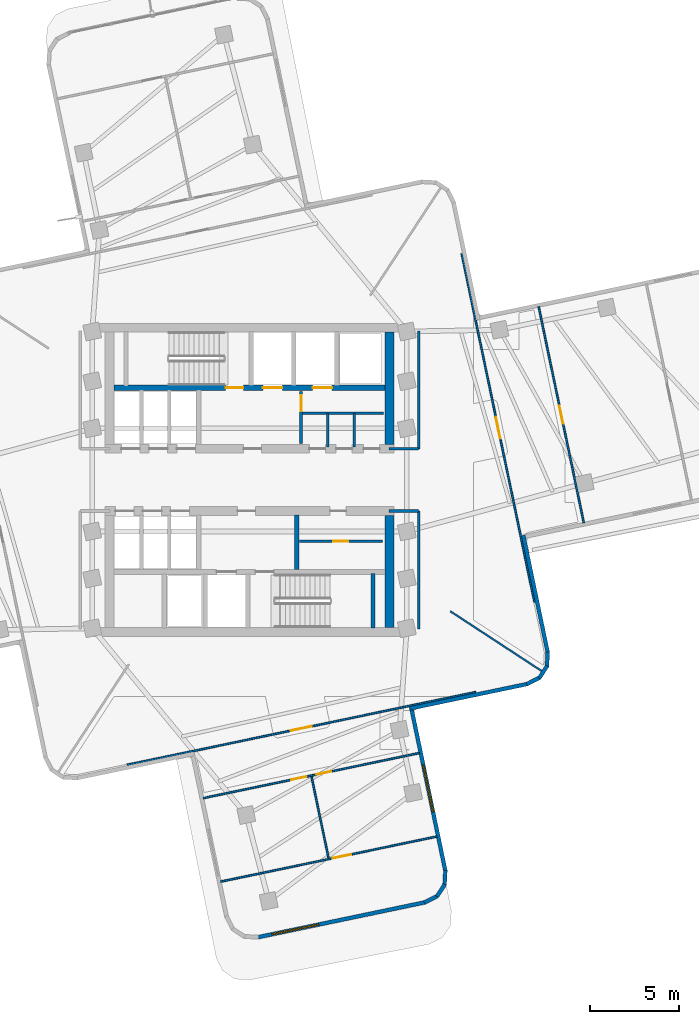
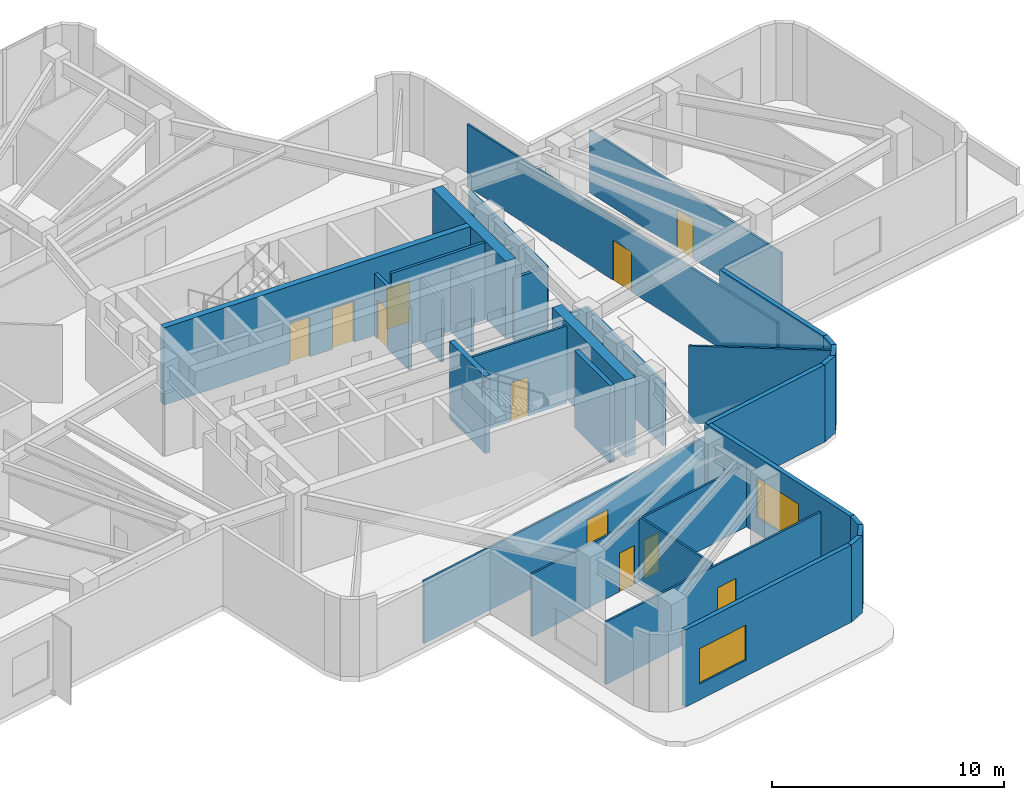
# One storey, part 7 of 12: 31 walls, 11 doors, 2 windows, 13 openings.
"""IFC4 building model written with IfcOpenShell, lengths in metres."""

from ifc_helpers import new_model, si_unit, direction, frame, frame_2d, origin, place, context, subcontext, project, spatial, rectangle, extrude, material, layer, layer_set, type_object, element, fill, save


model = new_model("IFC4")

# Units and contexts
model_context = context("Model", 3, precision=1e-05, world=origin(), true_north=direction((0.0, 1.0)))
body_context = subcontext(model_context, "Body", "Model", "MODEL_VIEW")
ifc_project = project(units=[si_unit("LENGTHUNIT", "METRE"), si_unit("AREAUNIT", "SQUARE_METRE"), si_unit("VOLUMEUNIT", "CUBIC_METRE"), si_unit("PLANEANGLEUNIT", "RADIAN"), si_unit("MASSUNIT", "GRAM", prefix="KILO")], contexts=[model_context])

# Site, building, storey
site_placement = place(None, origin())
site = spatial("IfcSite", under=ifc_project, at=site_placement, CompositionType="ELEMENT")
building_placement = place(site_placement, origin())
building = spatial("IfcBuilding", under=site, at=building_placement, Name="Solmarez Civic Tower", CompositionType="ELEMENT")
storey_placement = place(building_placement, frame((0.0, 0.0, 111.9599609375)))
storey = spatial("IfcBuildingStorey", under=building, at=storey_placement, Name="L29", CompositionType="ELEMENT", Elevation=111.9599609375)

# Walls
ifc_material_1 = material(Name="Concrete C60/75", Category="concrete")
ifc_layer_1 = layer(ifc_material_1, 0.5)
ifc_layer_set_1 = layer_set([ifc_layer_1], Name="Concrete C60/75")
wall_type_1 = type_object("IfcWallType", Name="WALL-CORE-500", PredefinedType="SHEAR", material=ifc_layer_set_1)
for number, where, z_axis, x_axis, name in (
    (1, (7.8701171875, 8.31005859375, 0.0), (0.0, 0.0, 1.0), (0.0, -1.0, 0.0), "L29 Split-Core Structural Wall NCW-E-L29"),
    (2, (7.8701171875, -2.0, 0.0), (0.0, 0.0, 1.0), (0.0, -1.0, 0.0), "L29 Split-Core Structural Wall SCW-E-L29"),
):
    element("IfcWall", number, at=place(storey_placement, frame(where, z_axis=z_axis, x_axis=x_axis)), inside=storey, type_object=wall_type_1, Name=name, PredefinedType="SHEAR", context=body_context, shape_type="SweptSolid", body=[
        extrude(rectangle(XDim=6.31005859375, YDim=0.5, at=frame_2d((3.155029296875, 0.0))), origin(), (0.0, 0.0, 1.0), 4.06005859375),
    ])
ifc_material_2 = material(Name="Precast concrete C40/50", Category="concrete")
ifc_layer_2 = layer(ifc_material_2, 0.219970703125)
ifc_layer_set_2 = layer_set([ifc_layer_2], Name="Precast concrete C40/50")
wall_type_2 = type_object("IfcWallType", Name="WALL-EXT-220", PredefinedType="SOLIDWALL", material=ifc_layer_set_2)
wall_1_placement = place(storey_placement, frame((15.403076171875, -3.118896484375, 0.0), z_axis=(0.0, 0.0, 1.0), x_axis=(0.204509735336, -0.978864530031, 0.0)))
element("IfcWall", 3, at=wall_1_placement, inside=storey, type_object=wall_type_2, Name="L29 Exterior Precast Wall 49", PredefinedType="SOLIDWALL", context=body_context, shape_type="SweptSolid", body=[
    extrude(rectangle(XDim=6.7568359375, YDim=0.219970703125, at=frame_2d((3.37841796875, 0.0))), origin(), (0.0, 0.0, 1.0), 4.06005859375),
])
wall_2_placement = place(storey_placement, frame((16.781005859375, -9.68408203125, 0.0), z_axis=(0.0, 0.0, 1.0), x_axis=(-0.055016197793, -0.998485462078, 0.0)))
element("IfcWall", 4, at=wall_2_placement, inside=storey, type_object=wall_type_2, Name="L29 Exterior Precast Wall 50", PredefinedType="SOLIDWALL", context=body_context, shape_type="SweptSolid", body=[
    extrude(rectangle(XDim=0.834228515625, YDim=0.219970703125, at=frame_2d((0.4169921875, 0.0))), origin(), (0.0, 0.0, 1.0), 4.06005859375),
])
wall_3_placement = place(storey_placement, frame((16.75, -10.470947265625, 0.0), z_axis=(0.0, 0.0, 1.0), x_axis=(-0.54760232045, -0.836738727822, 0.0)))
element("IfcWall", 5, at=wall_3_placement, inside=storey, type_object=wall_type_2, Name="L29 Exterior Precast Wall 51", PredefinedType="SOLIDWALL", context=body_context, shape_type="SweptSolid", body=[
    extrude(rectangle(XDim=0.81982421875, YDim=0.219970703125, at=frame_2d((0.409912109375, 0.0))), origin(), (0.0, 0.0, 1.0), 4.06005859375),
])
wall_4_placement = place(storey_placement, frame((16.3369140625, -11.125, 0.0), z_axis=(0.0, 0.0, 1.0), x_axis=(-0.892485652426, -0.45107578101, 0.0)))
element("IfcWall", 6, at=wall_4_placement, inside=storey, type_object=wall_type_2, Name="L29 Exterior Precast Wall 52", PredefinedType="SOLIDWALL", context=body_context, shape_type="SweptSolid", body=[
    extrude(rectangle(XDim=0.83349609375, YDim=0.219970703125, at=frame_2d((0.416748046875, 0.0))), origin(), (0.0, 0.0, 1.0), 4.06005859375),
])
wall_5_placement = place(storey_placement, frame((15.638916015625, -11.485107421875, 0.0), z_axis=(0.0, 0.0, 1.0), x_axis=(-0.978870573598, -0.204480806295, 0.0)))
element("IfcWall", 7, at=wall_5_placement, inside=storey, type_object=wall_type_2, Name="L29 Exterior Precast Wall 53", PredefinedType="SOLIDWALL", context=body_context, shape_type="SweptSolid", body=[
    extrude(rectangle(XDim=6.7578125, YDim=0.219970703125, at=frame_2d((3.37890625, 0.0))), origin(), (0.0, 0.0, 1.0), 4.06005859375),
])

# Wall, opening, window
wall_6_placement = place(storey_placement, frame((9.092041015625, -12.762939453125, 0.0), z_axis=(0.0, 0.0, 1.0), x_axis=(0.204468605798, -0.978873122137, 0.0)))
wall_6 = element("IfcWall", 8, at=wall_6_placement, inside=storey, type_object=wall_type_2, Name="L29 Exterior Precast Wall 56", PredefinedType="SOLIDWALL", context=body_context, shape_type="SweptSolid", body=[
    extrude(rectangle(XDim=9.457763671875, YDim=0.219970703125, at=frame_2d((4.72900390625, 0.0))), origin(), (0.0, 0.0, 1.0), 4.06005859375),
])
opening_1_placement = place(wall_6_placement, frame((3.35009765625, 0.0, 0.85009765625)))
opening_1 = element("IfcOpeningElement", 9, at=opening_1_placement, cuts=wall_6, Name="Opening W-01", PredefinedType="OPENING", context=body_context, shape_type="SweptSolid", body=[
    extrude(rectangle(XDim=2.699951171875, YDim=2.10009765625, at=frame_2d((1.35009765625, 1.050048828125))), frame((0.0, 0.119873046875, 0.0), z_axis=(0.0, -1.0, 0.0), x_axis=(1.0, 0.0, 0.0)), (0.0, 0.0, 1.0), 0.239990234375),
])
ifc_material_3 = material(Name="Solar Control Bronze-Tinted Insulating Glass", Category="glass")
window_type_1 = type_object("IfcWindowType", Name="WIN-2700X2100", PartitioningType="SINGLE_PANEL", PredefinedType="WINDOW", material=ifc_material_3)
window_1_placement = place(opening_1_placement, origin())
window_1 = element("IfcWindow", 10, at=window_1_placement, inside=storey, type_object=window_type_1, Name="L29 Exterior Facade Window 56", OverallHeight=2.10009765625, OverallWidth=2.699951171875, PartitioningType="SINGLE_PANEL", PredefinedType="WINDOW", context=body_context, shape_type="SweptSolid", body=[
    extrude(rectangle(XDim=2.699951171875, YDim=2.10009765625, at=frame_2d((1.35009765625, 1.050048828125))), frame((0.0, 0.030029296875, 0.0), z_axis=(0.0, -1.0, 0.0), x_axis=(1.0, 0.0, 0.0)), (0.0, 0.0, 1.0), 0.06005859375),
])
fill(opening_1, window_1)

# Walls
wall_7_placement = place(storey_placement, frame((11.02197265625, -21.971923828125, 0.0), z_axis=(0.0, 0.0, 1.0), x_axis=(-0.055016197793, -0.998485462078, 0.0)))
element("IfcWall", 11, at=wall_7_placement, inside=storey, type_object=wall_type_2, Name="L29 Exterior Precast Wall 57", PredefinedType="SOLIDWALL", context=body_context, shape_type="SweptSolid", body=[
    extrude(rectangle(XDim=0.834228515625, YDim=0.219970703125, at=frame_2d((0.4169921875, 0.0))), origin(), (0.0, 0.0, 1.0), 4.06005859375),
])
wall_8_placement = place(storey_placement, frame((10.990966796875, -22.759033203125, 0.0), z_axis=(0.0, 0.0, 1.0), x_axis=(-0.548148504297, -0.836381023958, 0.0)))
element("IfcWall", 12, at=wall_8_placement, inside=storey, type_object=wall_type_2, Name="L29 Exterior Precast Wall 58", PredefinedType="SOLIDWALL", context=body_context, shape_type="SweptSolid", body=[
    extrude(rectangle(XDim=0.819091796875, YDim=0.219970703125, at=frame_2d((0.40966796875, 0.0))), origin(), (0.0, 0.0, 1.0), 4.06005859375),
])
wall_9_placement = place(storey_placement, frame((10.577880859375, -23.412109375, 0.0), z_axis=(0.0, 0.0, 1.0), x_axis=(-0.892485652426, -0.45107578101, 0.0)))
element("IfcWall", 13, at=wall_9_placement, inside=storey, type_object=wall_type_2, Name="L29 Exterior Precast Wall 59", PredefinedType="SOLIDWALL", context=body_context, shape_type="SweptSolid", body=[
    extrude(rectangle(XDim=0.83349609375, YDim=0.219970703125, at=frame_2d((0.416748046875, 0.0))), origin(), (0.0, 0.0, 1.0), 4.06005859375),
])

# Wall, opening, window
wall_10_placement = place(storey_placement, frame((9.8798828125, -23.77197265625, 0.0), z_axis=(0.0, 0.0, 1.0), x_axis=(-0.978873030385, -0.204469045054, 0.0)))
wall_10 = element("IfcWall", 14, at=wall_10_placement, inside=storey, type_object=wall_type_2, Name="L29 Exterior Precast Wall 60", PredefinedType="SOLIDWALL", context=body_context, shape_type="SweptSolid", body=[
    extrude(rectangle(XDim=9.6201171875, YDim=0.219970703125, at=frame_2d((4.81005859375, 0.0))), origin(), (0.0, 0.0, 1.0), 4.06005859375),
])
opening_2_placement = place(wall_10_placement, frame((6.1201171875, 0.0, 0.85009765625)))
opening_2 = element("IfcOpeningElement", 15, at=opening_2_placement, cuts=wall_10, Name="Opening W-05", PredefinedType="OPENING", context=body_context, shape_type="SweptSolid", body=[
    extrude(rectangle(XDim=2.699951171875, YDim=1.85009765625, at=frame_2d((1.35009765625, 0.925048828125))), frame((0.0, 0.119873046875, 0.0), z_axis=(0.0, -1.0, 0.0), x_axis=(1.0, 0.0, 0.0)), (0.0, 0.0, 1.0), 0.239990234375),
])
window_type_2 = type_object("IfcWindowType", Name="WIN-2700X1850", PartitioningType="SINGLE_PANEL", PredefinedType="WINDOW", material=ifc_material_3)
window_2_placement = place(opening_2_placement, origin())
window_2 = element("IfcWindow", 16, at=window_2_placement, inside=storey, type_object=window_type_2, Name="L29 Exterior Facade Window 60", OverallHeight=1.85009765625, OverallWidth=2.699951171875, PartitioningType="SINGLE_PANEL", PredefinedType="WINDOW", context=body_context, shape_type="SweptSolid", body=[
    extrude(rectangle(XDim=2.699951171875, YDim=1.85009765625, at=frame_2d((1.35009765625, 0.925048828125))), frame((0.0, 0.030029296875, 0.0), z_axis=(0.0, -1.0, 0.0), x_axis=(1.0, 0.0, 0.0)), (0.0, 0.0, 1.0), 0.06005859375),
])
fill(opening_2, window_2)

# Walls
ifc_material_4 = material(Name="Gypsum Board Acoustic Steel-Stud Partition", Category="steel")
ifc_layer_3 = layer(ifc_material_4, 0.14990234375)
ifc_layer_set_3 = layer_set([ifc_layer_3], Name="Gypsum Board Acoustic Steel-Stud Partition")
wall_type_3 = type_object("IfcWallType", Name="WALL-INT-FIRE-150", PredefinedType="PARTITIONING", material=ifc_layer_set_3)
wall_11_placement = place(storey_placement, frame((9.52001953125, 1.75, 0.0), z_axis=(0.0, 0.0, 1.0), x_axis=(0.0, 1.0, 0.0)))
element("IfcWall", 17, at=wall_11_placement, inside=storey, type_object=wall_type_3, Name="L29 Interior Partition CHW-L29-EN1", PredefinedType="PARTITIONING", context=body_context, shape_type="SweptSolid", body=[
    extrude(rectangle(XDim=6.6298828125, YDim=0.14990234375, at=frame_2d((3.31494140625, 0.0))), origin(), (0.0, 0.0, 1.0), 3.2900390625),
])
wall_12_placement = place(storey_placement, frame((7.85009765625, 1.75, 0.0), z_axis=(0.0, 0.0, 1.0), x_axis=(1.0, 0.0, 0.0)))
element("IfcWall", 18, at=wall_12_placement, inside=storey, type_object=wall_type_3, Name="L29 Interior Partition CHW-L29-EN3", PredefinedType="PARTITIONING", context=body_context, shape_type="SweptSolid", body=[
    extrude(rectangle(XDim=1.669921875, YDim=0.14990234375, at=frame_2d((0.8349609375, 0.0))), origin(), (0.0, 0.0, 1.0), 3.2900390625),
])
wall_13_placement = place(storey_placement, frame((9.52001953125, -8.3798828125, 0.0), z_axis=(0.0, 0.0, 1.0), x_axis=(0.0, 1.0, 0.0)))
element("IfcWall", 19, at=wall_13_placement, inside=storey, type_object=wall_type_3, Name="L29 Interior Partition CHW-L29-ES1", PredefinedType="PARTITIONING", context=body_context, shape_type="SweptSolid", body=[
    extrude(rectangle(XDim=6.6298828125, YDim=0.14990234375, at=frame_2d((3.31494140625, 0.0))), origin(), (0.0, 0.0, 1.0), 3.2900390625),
])
wall_14_placement = place(storey_placement, frame((7.85009765625, -1.75, 0.0), z_axis=(0.0, 0.0, 1.0), x_axis=(1.0, 0.0, 0.0)))
element("IfcWall", 20, at=wall_14_placement, inside=storey, type_object=wall_type_3, Name="L29 Interior Partition CHW-L29-ES3", PredefinedType="PARTITIONING", context=body_context, shape_type="SweptSolid", body=[
    extrude(rectangle(XDim=1.669921875, YDim=0.14990234375, at=frame_2d((0.8349609375, 0.0))), origin(), (0.0, 0.0, 1.0), 3.2900390625),
])
ifc_layer_4 = layer(ifc_material_4, 0.10009765625)
ifc_layer_set_4 = layer_set([ifc_layer_4], Name="Gypsum Board Acoustic Steel-Stud Partition")
wall_type_4 = type_object("IfcWallType", Name="WALL-INT-PART-100", PredefinedType="PARTITIONING", material=ifc_layer_set_4)
wall_15_placement = place(storey_placement, frame((11.300048828125, -7.39404296875, 0.0), z_axis=(0.0, 0.0, 1.0), x_axis=(0.836731843599, -0.547612839429, 0.0)))
element("IfcWall", 21, at=wall_15_placement, inside=storey, type_object=wall_type_4, Name="L29 Interior Partition PT-L29-QDIV-4", PredefinedType="PARTITIONING", context=body_context, shape_type="SweptSolid", body=[
    extrude(rectangle(XDim=6.170166015625, YDim=0.10009765625, at=frame_2d((3.0849609375, 0.0))), origin(), (0.0, 0.0, 1.0), 4.06005859375),
])

# Wall, opening, door
wall_16_placement = place(storey_placement, frame((11.93896484375, 12.72998046875, 0.0), z_axis=(0.0, 0.0, 1.0), x_axis=(0.204503489908, -0.978865834839, 0.0)))
wall_16 = element("IfcWall", 22, at=wall_16_placement, inside=storey, type_object=wall_type_4, Name="L29 Interior Partition PT-L29-E-ENT", PredefinedType="PARTITIONING", context=body_context, shape_type="SweptSolid", body=[
    extrude(rectangle(XDim=20.03955078125, YDim=0.10009765625, at=frame_2d((10.019775390625, 0.0))), origin(), (0.0, 0.0, 1.0), 3.2900390625),
])
opening_3_placement = place(wall_16_placement, frame((9.419921875, 0.0, 0.0)))
opening_3 = element("IfcOpeningElement", 23, at=opening_3_placement, cuts=wall_16, Name="Opening D-11", PredefinedType="OPENING", context=body_context, shape_type="SweptSolid", body=[
    extrude(rectangle(XDim=1.199951171875, YDim=2.10009765625, at=frame_2d((0.60009765625, 1.050048828125))), frame((0.0, 0.06005859375, 0.0), z_axis=(0.0, -1.0, 0.0), x_axis=(1.0, 0.0, 0.0)), (0.0, 0.0, 1.0), 0.1201171875),
])
ifc_material_5 = material(Name="Glazed-Vision Acoustic Chamber Door", Category="wood")
door_type_1 = type_object("IfcDoorType", Name="DOOR-INT-1200", OperationType="NOTDEFINED", PredefinedType="DOOR", material=ifc_material_5)
door_1_placement = place(opening_3_placement, origin())
door_1 = element("IfcDoor", 24, at=door_1_placement, inside=storey, type_object=door_type_1, Name="L29 Maritime Registry Inter-Ministerial Open Workspace First East Door", OperationType="SINGLE_SWING_LEFT", OverallHeight=2.10009765625, OverallWidth=1.199951171875, PredefinedType="DOOR", context=body_context, shape_type="SweptSolid", body=[
    extrude(rectangle(XDim=1.199951171875, YDim=2.10009765625, at=frame_2d((0.60009765625, 1.050048828125))), frame((0.0, 0.02490234375, 0.0), z_axis=(0.0, -1.0, 0.0), x_axis=(1.0, 0.0, 0.0)), (0.0, 0.0, 1.0), 0.050048828125),
])
fill(opening_3, door_1)

wall_17_placement = place(storey_placement, frame((16.27001953125, 9.748046875, 0.0), z_axis=(0.0, 0.0, 1.0), x_axis=(0.204509549155, -0.978864568929, 0.0)))
wall_17 = element("IfcWall", 25, at=wall_17_placement, inside=storey, type_object=wall_type_4, Name="L29 Interior Partition PT-L29-E-SC1", PredefinedType="PARTITIONING", context=body_context, shape_type="SweptSolid", body=[
    extrude(rectangle(XDim=12.4296875, YDim=0.10009765625, at=frame_2d((6.21484375, 0.0))), origin(), (0.0, 0.0, 1.0), 3.2900390625),
])
opening_4_placement = place(wall_17_placement, frame((5.68994140625, 0.0, 0.0)))
opening_4 = element("IfcOpeningElement", 26, at=opening_4_placement, cuts=wall_17, Name="Opening D-13", PredefinedType="OPENING", context=body_context, shape_type="SweptSolid", body=[
    extrude(rectangle(XDim=1.050048828125, YDim=2.080078125, at=frame_2d((0.52490234375, 1.0400390625))), frame((0.0, 0.06005859375, 0.0), z_axis=(0.0, -1.0, 0.0), x_axis=(1.0, 0.0, 0.0)), (0.0, 0.0, 1.0), 0.1201171875),
])
ifc_material_6 = material(Name="Timber Directorate Office Door", Category="wood")
door_type_2 = type_object("IfcDoorType", Name="DOOR-INT-1050", OperationType="NOTDEFINED", PredefinedType="DOOR", material=ifc_material_6)
door_2_placement = place(opening_4_placement, origin())
door_2 = element("IfcDoor", 27, at=door_2_placement, inside=storey, type_object=door_type_2, Name="L29 Policy Seminar Room East Door", OperationType="SINGLE_SWING_LEFT", OverallHeight=2.080078125, OverallWidth=1.050048828125, PredefinedType="DOOR", context=body_context, shape_type="SweptSolid", body=[
    extrude(rectangle(XDim=1.050048828125, YDim=2.080078125, at=frame_2d((0.52490234375, 1.0400390625))), frame((0.0, 0.02490234375, 0.0), z_axis=(0.0, -1.0, 0.0), x_axis=(1.0, 0.0, 0.0)), (0.0, 0.0, 1.0), 0.050048828125),
])
fill(opening_4, door_2)

wall_18_placement = place(storey_placement, frame((12.72998046875, -11.93896484375, 0.0), z_axis=(0.0, 0.0, 1.0), x_axis=(-0.978865834839, -0.204503489908, 0.0)))
wall_18 = element("IfcWall", 28, at=wall_18_placement, inside=storey, type_object=wall_type_4, Name="L29 Interior Partition PT-L29-S-ENT", PredefinedType="PARTITIONING", context=body_context, shape_type="SweptSolid", body=[
    extrude(rectangle(XDim=20.03955078125, YDim=0.10009765625, at=frame_2d((10.019775390625, 0.0))), origin(), (0.0, 0.0, 1.0), 3.2900390625),
])
opening_5_placement = place(wall_18_placement, frame((9.419921875, 0.0, 0.0)))
opening_5 = element("IfcOpeningElement", 29, at=opening_5_placement, cuts=wall_18, Name="Opening D-11", PredefinedType="OPENING", context=body_context, shape_type="SweptSolid", body=[
    extrude(rectangle(XDim=1.199951171875, YDim=2.10009765625, at=frame_2d((0.60009765625, 1.050048828125))), frame((0.0, 0.06005859375, 0.0), z_axis=(0.0, -1.0, 0.0), x_axis=(1.0, 0.0, 0.0)), (0.0, 0.0, 1.0), 0.1201171875),
])
door_3_placement = place(opening_5_placement, origin())
door_3 = element("IfcDoor", 30, at=door_3_placement, inside=storey, type_object=door_type_1, Name="L29 Staff Pantry First South Door", OperationType="SINGLE_SWING_LEFT", OverallHeight=2.10009765625, OverallWidth=1.199951171875, PredefinedType="DOOR", context=body_context, shape_type="SweptSolid", body=[
    extrude(rectangle(XDim=1.199951171875, YDim=2.10009765625, at=frame_2d((0.60009765625, 1.050048828125))), frame((0.0, 0.02490234375, 0.0), z_axis=(0.0, -1.0, 0.0), x_axis=(1.0, 0.0, 0.0)), (0.0, 0.0, 1.0), 0.050048828125),
])
fill(opening_5, door_3)

# Wall
wall_19_placement = place(storey_placement, frame((3.489013671875, -16.698974609375, 0.0), z_axis=(0.0, 0.0, 1.0), x_axis=(0.204454098321, -0.97887615237, 0.0)))
element("IfcWall", 31, at=wall_19_placement, inside=storey, type_object=wall_type_4, Name="L29 Interior Partition PT-L29-S-MM", PredefinedType="PARTITIONING", context=body_context, shape_type="SweptSolid", body=[
    extrude(rectangle(XDim=4.680908203125, YDim=0.10009765625, at=frame_2d((2.34033203125, 0.0))), origin(), (0.0, 0.0, 1.0), 3.43994140625),
])

# Wall, openings, doors
wall_20_placement = place(storey_placement, frame((-2.60693359375, -17.912109375, 0.0), z_axis=(0.0, 0.0, 1.0), x_axis=(0.978864568929, 0.204509549155, 0.0)))
wall_20 = element("IfcWall", 32, at=wall_20_placement, inside=storey, type_object=wall_type_4, Name="L29 Interior Partition PT-L29-S-S1", PredefinedType="PARTITIONING", context=body_context, shape_type="SweptSolid", body=[
    extrude(rectangle(XDim=12.4296875, YDim=0.10009765625, at=frame_2d((6.21484375, 0.0))), origin(), (0.0, 0.0, 1.0), 3.2900390625),
])
opening_6_placement = place(wall_20_placement, frame((5.06494140625, 0.0, 0.0)))
opening_6 = element("IfcOpeningElement", 33, at=opening_6_placement, cuts=wall_20, Name="Opening D-14", PredefinedType="OPENING", context=body_context, shape_type="SweptSolid", body=[
    extrude(rectangle(XDim=0.860107421875, YDim=2.0400390625, at=frame_2d((0.43017578125, 1.02001953125))), frame((0.0, 0.06005859375, 0.0), z_axis=(0.0, -1.0, 0.0), x_axis=(1.0, 0.0, 0.0)), (0.0, 0.0, 1.0), 0.1201171875),
])
opening_7_placement = place(wall_20_placement, frame((6.5048828125, 0.0, 0.0)))
opening_7 = element("IfcOpeningElement", 34, at=opening_7_placement, cuts=wall_20, Name="Opening D-14", PredefinedType="OPENING", context=body_context, shape_type="SweptSolid", body=[
    extrude(rectangle(XDim=0.860107421875, YDim=2.0400390625, at=frame_2d((0.43017578125, 1.02001953125))), frame((0.0, 0.06005859375, 0.0), z_axis=(0.0, -1.0, 0.0), x_axis=(1.0, 0.0, 0.0)), (0.0, 0.0, 1.0), 0.1201171875),
])
ifc_material_7 = material(Name="Timber Storage and Pantry Door", Category="wood")
door_type_3 = type_object("IfcDoorType", Name="DOOR-INT-850", OperationType="NOTDEFINED", PredefinedType="DOOR", material=ifc_material_7)
door_4_placement = place(opening_6_placement, origin())
door_4 = element("IfcDoor", 35, at=door_4_placement, inside=storey, type_object=door_type_3, Name="L29 Policy Seminar Room Third South Door", OperationType="SINGLE_SWING_RIGHT", OverallHeight=2.0400390625, OverallWidth=0.860107421875, PredefinedType="DOOR", context=body_context, shape_type="SweptSolid", body=[
    extrude(rectangle(XDim=0.860107421875, YDim=2.0400390625, at=frame_2d((0.43017578125, 1.02001953125))), frame((0.0, 0.02490234375, 0.0), z_axis=(0.0, -1.0, 0.0), x_axis=(1.0, 0.0, 0.0)), (0.0, 0.0, 1.0), 0.050048828125),
])
fill(opening_6, door_4)
door_5_placement = place(opening_7_placement, origin())
door_5 = element("IfcDoor", 36, at=door_5_placement, inside=storey, type_object=door_type_3, Name="L29 Inter-Ministerial Open Workspace Second South Door", OperationType="SINGLE_SWING_LEFT", OverallHeight=2.0400390625, OverallWidth=0.860107421875, PredefinedType="DOOR", context=body_context, shape_type="SweptSolid", body=[
    extrude(rectangle(XDim=0.860107421875, YDim=2.0400390625, at=frame_2d((0.43017578125, 1.02001953125))), frame((0.0, 0.02490234375, 0.0), z_axis=(0.0, -1.0, 0.0), x_axis=(1.0, 0.0, 0.0)), (0.0, 0.0, 1.0), 0.050048828125),
])
fill(opening_7, door_5)

# Wall, opening, door
wall_21_placement = place(storey_placement, frame((10.5419921875, -20.068115234375, 0.0), z_axis=(0.0, 0.0, 1.0), x_axis=(-0.978867854543, -0.204493822261, 0.0)))
wall_21 = element("IfcWall", 37, at=wall_21_placement, inside=storey, type_object=wall_type_4, Name="L29 Interior Partition PT-L29-S-S2", PredefinedType="PARTITIONING", context=body_context, shape_type="SweptSolid", body=[
    extrude(rectangle(XDim=12.4306640625, YDim=0.10009765625, at=frame_2d((6.21533203125, 0.0))), origin(), (0.0, 0.0, 1.0), 3.2900390625),
])
opening_8_placement = place(wall_21_placement, frame((4.93994140625, 0.0, 0.0)))
opening_8 = element("IfcOpeningElement", 38, at=opening_8_placement, cuts=wall_21, Name="Opening D-13", PredefinedType="OPENING", context=body_context, shape_type="SweptSolid", body=[
    extrude(rectangle(XDim=1.050048828125, YDim=2.080078125, at=frame_2d((0.52490234375, 1.0400390625))), frame((0.0, 0.06005859375, 0.0), z_axis=(0.0, -1.0, 0.0), x_axis=(1.0, 0.0, 0.0)), (0.0, 0.0, 1.0), 0.1201171875),
])
door_6_placement = place(opening_8_placement, origin())
door_6 = element("IfcDoor", 39, at=door_6_placement, inside=storey, type_object=door_type_2, Name="L29 Citizen Consultation Room Fourth South Door", OperationType="SINGLE_SWING_LEFT", OverallHeight=2.080078125, OverallWidth=1.050048828125, PredefinedType="DOOR", context=body_context, shape_type="SweptSolid", body=[
    extrude(rectangle(XDim=1.050048828125, YDim=2.080078125, at=frame_2d((0.52490234375, 1.0400390625))), frame((0.0, 0.02490234375, 0.0), z_axis=(0.0, -1.0, 0.0), x_axis=(1.0, 0.0, 0.0)), (0.0, 0.0, 1.0), 0.050048828125),
])
fill(opening_8, door_6)

ifc_layer_5 = layer(ifc_material_4, 0.1201171875)
ifc_layer_set_5 = layer_set([ifc_layer_5], Name="Gypsum Board Acoustic Steel-Stud Partition")
wall_type_5 = type_object("IfcWallType", Name="WALL-INT-PART-120", PredefinedType="PARTITIONING", material=ifc_layer_set_5)
wall_22_placement = place(storey_placement, frame((2.800048828125, -3.449951171875, 0.0), z_axis=(0.0, 0.0, 1.0), x_axis=(1.0, 0.0, 0.0)))
wall_22 = element("IfcWall", 40, at=wall_22_placement, inside=storey, type_object=wall_type_5, Name="L29 Interior Partition PT-FPLL-L29", PredefinedType="PARTITIONING", context=body_context, shape_type="SweptSolid", body=[
    extrude(rectangle(XDim=4.679931640625, YDim=0.1201171875, at=frame_2d((2.33984375, 0.0))), origin(), (0.0, 0.0, 1.0), 4.06005859375),
])
opening_9_placement = place(wall_22_placement, frame((1.89990234375, 0.0, 0.0)))
opening_9 = element("IfcOpeningElement", 41, at=opening_9_placement, cuts=wall_22, Name="Opening D-14", PredefinedType="OPENING", context=body_context, shape_type="SweptSolid", body=[
    extrude(rectangle(XDim=0.860107421875, YDim=2.0400390625, at=frame_2d((0.43017578125, 1.02001953125))), frame((0.0, 0.070068359375, 0.0), z_axis=(0.0, -1.0, 0.0), x_axis=(1.0, 0.0, 0.0)), (0.0, 0.0, 1.0), 0.14013671875),
])
door_7_placement = place(opening_9_placement, origin())
door_7 = element("IfcDoor", 42, at=door_7_placement, inside=storey, type_object=door_type_3, Name="L29 Records Filing Room Door", OperationType="SINGLE_SWING_LEFT", OverallHeight=2.0400390625, OverallWidth=0.860107421875, PredefinedType="DOOR", context=body_context, shape_type="SweptSolid", body=[
    extrude(rectangle(XDim=0.860107421875, YDim=2.0400390625, at=frame_2d((0.43017578125, 1.02001953125))), frame((0.0, 0.02490234375, 0.0), z_axis=(0.0, -1.0, 0.0), x_axis=(1.0, 0.0, 0.0)), (0.0, 0.0, 1.0), 0.050048828125),
])
fill(opening_9, door_7)

ifc_layer_6 = layer(ifc_material_4, 0.159912109375)
ifc_layer_set_6 = layer_set([ifc_layer_6], Name="Gypsum Board Acoustic Steel-Stud Partition")
wall_type_6 = type_object("IfcWallType", Name="WALL-INT-SHAFT-160", PredefinedType="PARTITIONING", material=ifc_layer_set_6)
wall_23_placement = place(storey_placement, frame((2.89990234375, 2.0400390625, 0.0), z_axis=(0.0, 0.0, 1.0), x_axis=(0.0, 1.0, 0.0)))
wall_23 = element("IfcWall", 43, at=wall_23_placement, inside=storey, type_object=wall_type_6, Name="L29 Interior Partition SHW-NL2-L29", PredefinedType="PARTITIONING", context=body_context, shape_type="SweptSolid", body=[
    extrude(rectangle(XDim=2.93994140625, YDim=0.159912109375, at=frame_2d((1.469970703125, 0.0))), origin(), (0.0, 0.0, 1.0), 3.2900390625),
])
opening_10_placement = place(wall_23_placement, frame((1.820068359375, 0.0, 0.0)))
opening_10 = element("IfcOpeningElement", 44, at=opening_10_placement, cuts=wall_23, Name="Opening D-09", PredefinedType="OPENING", context=body_context, shape_type="SweptSolid", body=[
    extrude(rectangle(XDim=0.89990234375, YDim=2.06005859375, at=frame_2d((0.449951171875, 1.030029296875))), frame((0.0, 0.08984375, 0.0), z_axis=(0.0, -1.0, 0.0), x_axis=(1.0, 0.0, 0.0)), (0.0, 0.0, 1.0), 0.179931640625),
])
ifc_material_8 = material(Name="Fire-Rated Service Core Door", Category="wood")
door_type_4 = type_object("IfcDoorType", Name="DOOR-FD60-900", OperationType="NOTDEFINED", PredefinedType="DOOR", material=ifc_material_8)
door_8_placement = place(opening_10_placement, origin())
door_8 = element("IfcDoor", 45, at=door_8_placement, inside=storey, type_object=door_type_4, Name="L29 Service Lift Lobby Door", OperationType="SINGLE_SWING_LEFT", OverallHeight=2.06005859375, OverallWidth=0.89990234375, PredefinedType="DOOR", context=body_context, shape_type="SweptSolid", body=[
    extrude(rectangle(XDim=0.89990234375, YDim=2.06005859375, at=frame_2d((0.449951171875, 1.030029296875))), frame((0.0, 0.02490234375, 0.0), z_axis=(0.0, -1.0, 0.0), x_axis=(1.0, 0.0, 0.0)), (0.0, 0.0, 1.0), 0.050048828125),
])
fill(opening_10, door_8)

# Walls
ifc_layer_7 = layer(ifc_material_4, 0.137939453125)
ifc_layer_set_7 = layer_set([ifc_layer_7], Name="Gypsum Board Acoustic Steel-Stud Partition")
wall_type_7 = type_object("IfcWallType", Name="WALL-INT-WET-140", PredefinedType="PARTITIONING", material=ifc_layer_set_7)
wall_24_placement = place(storey_placement, frame((2.89990234375, 3.739990234375, 0.0), z_axis=(0.0, 0.0, 1.0), x_axis=(1.0, 0.0, 0.0)))
element("IfcWall", 46, at=wall_24_placement, inside=storey, type_object=wall_type_7, Name="L29 Interior Partition SHW-SVH-L29", PredefinedType="PARTITIONING", context=body_context, shape_type="SweptSolid", body=[
    extrude(rectangle(XDim=4.650146484375, YDim=0.137939453125, at=frame_2d((2.3251953125, 0.0))), origin(), (0.0, 0.0, 1.0), 4.06005859375),
])
for number, where, z_axis, x_axis, name in (
    (47, (4.39990234375, 1.85009765625, 0.0), (0.0, 0.0, 1.0), (0.0, 1.0, 0.0), "L29 Interior Partition PT-NCSV1-L29"),
    (48, (5.89990234375, 1.85009765625, 0.0), (0.0, 0.0, 1.0), (0.0, 1.0, 0.0), "L29 Interior Partition PT-NCSV2-L29"),
):
    element("IfcWall", number, at=place(storey_placement, frame(where, z_axis=z_axis, x_axis=x_axis)), inside=storey, type_object=wall_type_7, Name=name, PredefinedType="PARTITIONING", context=body_context, shape_type="SweptSolid", body=[
        extrude(rectangle(XDim=1.889892578125, YDim=0.137939453125, at=frame_2d((0.94482421875, 0.0))), origin(), (0.0, 0.0, 1.0), 3.2900390625),
    ])

# Wall, openings, doors
ifc_material_9 = material(Name="Concrete C50/60", Category="concrete")
ifc_layer_8 = layer(ifc_material_9, 0.300048828125)
ifc_layer_set_8 = layer_set([ifc_layer_8], Name="Concrete C50/60")
wall_type_8 = type_object("IfcWallType", Name="WALL-STR-300", PredefinedType="SOLIDWALL", material=ifc_layer_set_8)
wall_25_placement = place(storey_placement, frame((7.6201171875, 5.179931640625, 0.0), z_axis=(0.0, 0.0, 1.0), x_axis=(-1.0, 0.0, 0.0)))
wall_25 = element("IfcWall", 49, at=wall_25_placement, inside=storey, type_object=wall_type_8, Name="L29 Split-Core Structural Wall NCW-M-L29", PredefinedType="SOLIDWALL", context=body_context, shape_type="SweptSolid", body=[
    extrude(rectangle(XDim=15.240234375, YDim=0.300048828125, at=frame_2d((7.6201171875, 0.0))), origin(), (0.0, 0.0, 1.0), 4.06005859375),
])
opening_11_placement = place(wall_25_placement, frame((5.77001953125, 0.0, 0.0)))
opening_11 = element("IfcOpeningElement", 50, at=opening_11_placement, cuts=wall_25, Name="Opening LD-02", PredefinedType="OPENING", context=body_context, shape_type="SweptSolid", body=[
    extrude(rectangle(XDim=1.10009765625, YDim=2.14990234375, at=frame_2d((0.550048828125, 1.074951171875))), frame((0.0, 0.159912109375, 0.0), z_axis=(0.0, -1.0, 0.0), x_axis=(1.0, 0.0, 0.0)), (0.0, 0.0, 1.0), 0.320068359375),
])
opening_12_placement = place(wall_25_placement, frame((2.969970703125, 0.0, 0.0)))
opening_12 = element("IfcOpeningElement", 51, at=opening_12_placement, cuts=wall_25, Name="Opening LD-03", PredefinedType="OPENING", context=body_context, shape_type="SweptSolid", body=[
    extrude(rectangle(XDim=1.10009765625, YDim=2.14990234375, at=frame_2d((0.550048828125, 1.074951171875))), frame((0.0, 0.159912109375, 0.0), z_axis=(0.0, -1.0, 0.0), x_axis=(1.0, 0.0, 0.0)), (0.0, 0.0, 1.0), 0.320068359375),
])
opening_13_placement = place(wall_25_placement, frame((7.969970703125, 0.0, 0.0)))
opening_13 = element("IfcOpeningElement", 52, at=opening_13_placement, cuts=wall_25, Name="Opening D-05", PredefinedType="OPENING", context=body_context, shape_type="SweptSolid", body=[
    extrude(rectangle(XDim=1.0, YDim=2.10009765625, at=frame_2d((0.5, 1.050048828125))), frame((0.0, 0.159912109375, 0.0), z_axis=(0.0, -1.0, 0.0), x_axis=(1.0, 0.0, 0.0)), (0.0, 0.0, 1.0), 0.320068359375),
])
ifc_material_10 = material(Name="Fire-Rated Stairwell Exit Door", Category="wood")
door_type_5 = type_object("IfcDoorType", Name="DOOR-FD90-1000", OperationType="NOTDEFINED", PredefinedType="DOOR", material=ifc_material_10)
door_9_placement = place(opening_13_placement, origin())
door_9 = element("IfcDoor", 53, at=door_9_placement, inside=storey, type_object=door_type_5, Name="L29 North Exit Stair Door ST-1", OperationType="SINGLE_SWING_RIGHT", OverallHeight=2.10009765625, OverallWidth=1.0, PredefinedType="DOOR", context=body_context, shape_type="SweptSolid", body=[
    extrude(rectangle(XDim=1.0, YDim=2.10009765625, at=frame_2d((0.5, 1.050048828125))), frame((0.0, 0.02490234375, 0.0), z_axis=(0.0, -1.0, 0.0), x_axis=(1.0, 0.0, 0.0)), (0.0, 0.0, 1.0), 0.050048828125),
])
fill(opening_13, door_9)
ifc_material_11 = material(Name="Stainless Firefighting Lift Landing Sliding Door", Category="aluminium")
door_type_6 = type_object("IfcDoorType", Name="DOOR-LD-FF-1100", OperationType="DOUBLE_DOOR_SLIDING", PredefinedType="DOOR", material=ifc_material_11)
door_10_placement = place(opening_11_placement, origin())
door_10 = element("IfcDoor", 54, at=door_10_placement, inside=storey, type_object=door_type_6, Name="L29 Firefighting Lift Landing Door FFL-1", OperationType="DOUBLE_DOOR_SLIDING", OverallHeight=2.14990234375, OverallWidth=1.10009765625, PredefinedType="DOOR", context=body_context, shape_type="SweptSolid", body=[
    extrude(rectangle(XDim=1.10009765625, YDim=2.14990234375, at=frame_2d((0.550048828125, 1.074951171875))), frame((0.0, 0.02490234375, 0.0), z_axis=(0.0, -1.0, 0.0), x_axis=(1.0, 0.0, 0.0)), (0.0, 0.0, 1.0), 0.050048828125),
])
fill(opening_11, door_10)
ifc_material_12 = material(Name="Stainless Stretcher Lift Landing Sliding Door", Category="aluminium")
door_type_7 = type_object("IfcDoorType", Name="DOOR-LD-SV-1100", OperationType="DOUBLE_DOOR_SLIDING", PredefinedType="DOOR", material=ifc_material_12)
door_11_placement = place(opening_12_placement, origin())
door_11 = element("IfcDoor", 55, at=door_11_placement, inside=storey, type_object=door_type_7, Name="L29 Service Stretcher Lift Landing Door SVL-1", OperationType="DOUBLE_DOOR_SLIDING", OverallHeight=2.14990234375, OverallWidth=1.10009765625, PredefinedType="DOOR", context=body_context, shape_type="SweptSolid", body=[
    extrude(rectangle(XDim=1.10009765625, YDim=2.14990234375, at=frame_2d((0.550048828125, 1.074951171875))), frame((0.0, 0.02490234375, 0.0), z_axis=(0.0, -1.0, 0.0), x_axis=(1.0, 0.0, 0.0)), (0.0, 0.0, 1.0), 0.050048828125),
])
fill(opening_12, door_11)

# Walls
wall_26_placement = place(storey_placement, frame((6.949951171875, -8.340087890625, 0.0), z_axis=(0.0, 0.0, 1.0), x_axis=(0.0, 1.0, 0.0)))
element("IfcWall", 56, at=wall_26_placement, inside=storey, type_object=wall_type_8, Name="L29 Split-Core Structural Wall SHW-SE-L29", PredefinedType="SOLIDWALL", context=body_context, shape_type="SweptSolid", body=[
    extrude(rectangle(XDim=3.06005859375, YDim=0.219970703125, at=frame_2d((1.530029296875, 0.0))), origin(), (0.0, 0.0, 1.0), 4.06005859375),
])
wall_27_placement = place(storey_placement, frame((2.64990234375, -5.050048828125, 0.0), z_axis=(0.0, 0.0, 1.0), x_axis=(0.0, 1.0, 0.0)))
element("IfcWall", 57, at=wall_27_placement, inside=storey, type_object=wall_type_8, Name="L29 Split-Core Structural Wall SHW-SL2-L29", PredefinedType="SOLIDWALL", context=body_context, shape_type="SweptSolid", body=[
    extrude(rectangle(XDim=3.070068359375, YDim=0.25, at=frame_2d((1.53515625, 0.0))), origin(), (0.0, 0.0, 1.0), 4.06005859375),
])

save(model, "model.ifc")
